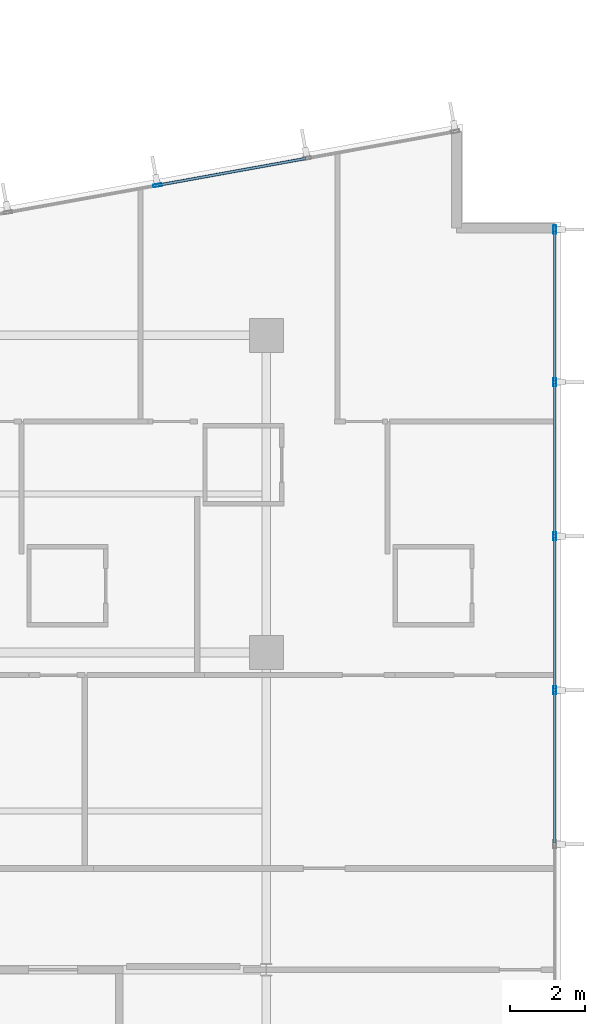
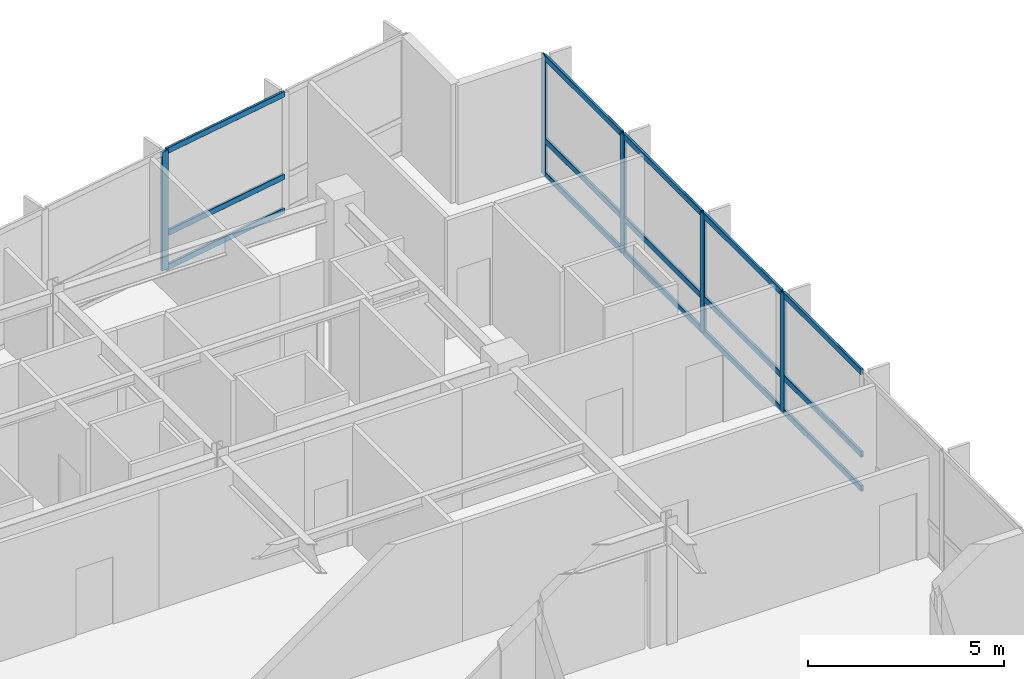
# One storey, part 8 of 22: 20 members, 2 elements without a shape of their own.
"""IFC4 building model written with IfcOpenShell, lengths in metres."""

from ifc_helpers import new_model, si_unit, direction, frame, origin, origin_2d, place, context, subcontext, project, spatial, hollow_rectangle, extrude, material, layer, layer_set, material_profile, profile_set, type_object, element, aggregate, save


model = new_model("IFC4")

# Units and contexts
model_context = context("Model", 3, precision=1e-05, world=origin(), true_north=direction((0.0, 1.0)))
body_context = subcontext(model_context, "Body", "Model", "MODEL_VIEW")
ifc_project = project(units=[si_unit("LENGTHUNIT", "METRE"), si_unit("AREAUNIT", "SQUARE_METRE"), si_unit("VOLUMEUNIT", "CUBIC_METRE"), si_unit("PLANEANGLEUNIT", "RADIAN"), si_unit("MASSUNIT", "GRAM", prefix="KILO")], contexts=[model_context])

# Site, building, storey
site_placement = place(None, origin())
site = spatial("IfcSite", under=ifc_project, at=site_placement, CompositionType="ELEMENT")
building_placement = place(site_placement, origin())
building = spatial("IfcBuilding", under=site, at=building_placement, Name="Varnakote Quay Hospital", CompositionType="ELEMENT")
storey_placement = place(building_placement, frame((0.0, 0.0, 65.949951171875)))
storey = spatial("IfcBuildingStorey", under=building, at=storey_placement, Name="L16", CompositionType="ELEMENT", Elevation=65.949951171875)

# Curtain wall, members
ifc_material_1 = material(Name="Anodised aluminium 6063-T6 Bronze", Category="aluminium")
ifc_layer = layer(ifc_material_1, 0.18994140625)
ifc_layer_set = layer_set([ifc_layer], Name="Anodised aluminium 6063-T6 Bronze")
curtain_wall_type = type_object("IfcCurtainWallType", Name="CW-SYS-2", PredefinedType="NOTDEFINED", material=ifc_layer_set)
curtain_wall_1_placement = place(storey_placement, origin())
curtain_wall_1 = element("IfcCurtainWall", 1, at=curtain_wall_1_placement, inside=storey, type_object=curtain_wall_type, Name="L16 Unitised Bronze Curtain Wall 1", PredefinedType="NOTDEFINED")
ifc_material_2 = material(Name="Anodised aluminium 6063-T6 Bronze", Category="aluminium")
ifc_material_profile_1 = material_profile(ifc_material_2, hollow_rectangle(XDim=0.074951171875, YDim=0.219970703125, WallThickness=0.00439453125, InnerFilletRadius=0.00439453125, OuterFilletRadius=0.009033203125, at=origin_2d()), Name="CW-MULL-220x75")
ifc_profile_set_1 = profile_set([ifc_material_profile_1], Name="Anodised aluminium 6063-T6 Bronze")
member_type_1 = type_object("IfcMemberType", Name="CW-MULL-220x75", PredefinedType="MULLION", material=ifc_profile_set_1)
member_1_placement = place(storey_placement, frame((58.0400390625, 19.39990234375, 0.0), z_axis=(0.0, 0.0, 1.0), x_axis=(-1.0, 0.0, 0.0)))
member_1 = element("IfcMember", 2, at=member_1_placement, type_object=member_type_1, Name="-2-L16-1 mullion 4", PredefinedType="MULLION", context=body_context, shape_type="SweptSolid", body=[
    extrude(hollow_rectangle(XDim=0.074951171875, YDim=0.219970703125, WallThickness=0.00439453125, InnerFilletRadius=0.00439453125, OuterFilletRadius=0.009033203125, at=origin_2d()), origin(), (0.0, 0.0, 1.0), 3.7099609375),
])
member_2_placement = place(storey_placement, frame((58.0400390625, 23.47998046875, 0.0), z_axis=(0.0, 0.0, 1.0), x_axis=(-1.0, 0.0, 0.0)))
member_2 = element("IfcMember", 3, at=member_2_placement, type_object=member_type_1, Name="-2-L16-1 mullion 5", PredefinedType="MULLION", context=body_context, shape_type="SweptSolid", body=[
    extrude(hollow_rectangle(XDim=0.074951171875, YDim=0.219970703125, WallThickness=0.00439453125, InnerFilletRadius=0.00439453125, OuterFilletRadius=0.009033203125, at=origin_2d()), origin(), (0.0, 0.0, 1.0), 3.7099609375),
])
member_3_placement = place(storey_placement, frame((58.0400390625, 27.56005859375, 0.0), z_axis=(0.0, 0.0, 1.0), x_axis=(-1.0, 0.0, 0.0)))
member_3 = element("IfcMember", 4, at=member_3_placement, type_object=member_type_1, Name="-2-L16-1 mullion 6", PredefinedType="MULLION", context=body_context, shape_type="SweptSolid", body=[
    extrude(hollow_rectangle(XDim=0.074951171875, YDim=0.219970703125, WallThickness=0.00439453125, InnerFilletRadius=0.00439453125, OuterFilletRadius=0.009033203125, at=origin_2d()), origin(), (0.0, 0.0, 1.0), 3.7099609375),
])
member_4_placement = place(storey_placement, frame((58.0400390625, 31.6025390625, 0.0), z_axis=(0.0, 0.0, 1.0), x_axis=(-1.0, 0.0, 0.0)))
member_4 = element("IfcMember", 5, at=member_4_placement, type_object=member_type_1, Name="-2-L16-1 mullion 7", PredefinedType="MULLION", context=body_context, shape_type="SweptSolid", body=[
    extrude(hollow_rectangle(XDim=0.074951171875, YDim=0.219970703125, WallThickness=0.00439453125, InnerFilletRadius=0.00439453125, OuterFilletRadius=0.009033203125, at=origin_2d()), origin(), (0.0, 0.0, 1.0), 3.7099609375),
])

# Curtain wall, member
curtain_wall_2_placement = place(storey_placement, origin())
curtain_wall_2 = element("IfcCurtainWall", 6, at=curtain_wall_2_placement, inside=storey, type_object=curtain_wall_type, Name="L16 Unitised Bronze Curtain Wall 2", PredefinedType="NOTDEFINED")
member_5_placement = place(storey_placement, frame((47.514892578125, 32.776123046875, 0.0), z_axis=(0.0, 0.0, 1.0), x_axis=(0.177846199098, -0.984058295766, 0.0)))
member_5 = element("IfcMember", 7, at=member_5_placement, type_object=member_type_1, Name="-2-L16-2 mullion 3", PredefinedType="MULLION", context=body_context, shape_type="SweptSolid", body=[
    extrude(hollow_rectangle(XDim=0.074951171875, YDim=0.219970703125, WallThickness=0.00439453125, InnerFilletRadius=0.00439453125, OuterFilletRadius=0.009033203125, at=origin_2d()), origin(), (0.0, 0.0, 1.0), 3.7099609375),
])

# Member
ifc_material_3 = material(Name="Anodised aluminium 6063-T6 Bronze", Category="aluminium")
ifc_material_profile_2 = material_profile(ifc_material_3, hollow_rectangle(XDim=0.074951171875, YDim=0.179931640625, WallThickness=0.004150390625, InnerFilletRadius=0.004150390625, OuterFilletRadius=0.00830078125, at=origin_2d()), Name="CW-TRAN-180x75")
ifc_profile_set_2 = profile_set([ifc_material_profile_2], Name="Anodised aluminium 6063-T6 Bronze")
member_type_2 = type_object("IfcMemberType", Name="CW-TRAN-180x75", PredefinedType="USERDEFINED", material=ifc_profile_set_2)
member_6_placement = place(storey_placement, frame((58.0400390625, 15.357421875, 0.03759765625), z_axis=(0.0, 1.0, 0.0), x_axis=(-1.0, 0.0, 0.0)))
member_6 = element("IfcMember", 8, at=member_6_placement, type_object=member_type_2, Name="-2-L16-1 transom 3.1", ObjectType="TRANSOM", PredefinedType="USERDEFINED", context=body_context, shape_type="SweptSolid", body=[
    extrude(hollow_rectangle(XDim=0.074951171875, YDim=0.179931640625, WallThickness=0.004150390625, InnerFilletRadius=0.004150390625, OuterFilletRadius=0.00830078125, at=origin_2d()), origin(), (0.0, 0.0, 1.0), 4.005126953125),
])

member_7_placement = place(storey_placement, frame((58.0400390625, 15.357421875, 1.10009765625), z_axis=(0.0, 1.0, 0.0), x_axis=(-1.0, 0.0, 0.0)))
member_7 = element("IfcMember", 9, at=member_7_placement, type_object=member_type_2, Name="-2-L16-1 transom 3.2", ObjectType="TRANSOM", PredefinedType="USERDEFINED", context=body_context, shape_type="SweptSolid", body=[
    extrude(hollow_rectangle(XDim=0.074951171875, YDim=0.179931640625, WallThickness=0.004150390625, InnerFilletRadius=0.004150390625, OuterFilletRadius=0.00830078125, at=origin_2d()), origin(), (0.0, 0.0, 1.0), 4.005126953125),
])

member_8_placement = place(storey_placement, frame((58.0400390625, 15.357421875, 3.672607421875), z_axis=(0.0, 1.0, 0.0), x_axis=(-1.0, 0.0, 0.0)))
member_8 = element("IfcMember", 10, at=member_8_placement, type_object=member_type_2, Name="-2-L16-1 transom 3.3", ObjectType="TRANSOM", PredefinedType="USERDEFINED", context=body_context, shape_type="SweptSolid", body=[
    extrude(hollow_rectangle(XDim=0.074951171875, YDim=0.179931640625, WallThickness=0.004150390625, InnerFilletRadius=0.004150390625, OuterFilletRadius=0.00830078125, at=origin_2d()), origin(), (0.0, 0.0, 1.0), 4.005126953125),
])

member_9_placement = place(storey_placement, frame((58.0400390625, 19.4375, 0.03759765625), z_axis=(0.0, 1.0, 0.0), x_axis=(-1.0, 0.0, 0.0)))
member_9 = element("IfcMember", 11, at=member_9_placement, type_object=member_type_2, Name="-2-L16-1 transom 4.1", ObjectType="TRANSOM", PredefinedType="USERDEFINED", context=body_context, shape_type="SweptSolid", body=[
    extrude(hollow_rectangle(XDim=0.074951171875, YDim=0.179931640625, WallThickness=0.004150390625, InnerFilletRadius=0.004150390625, OuterFilletRadius=0.00830078125, at=origin_2d()), origin(), (0.0, 0.0, 1.0), 4.0048828125),
])

member_10_placement = place(storey_placement, frame((58.0400390625, 19.4375, 1.10009765625), z_axis=(0.0, 1.0, 0.0), x_axis=(-1.0, 0.0, 0.0)))
member_10 = element("IfcMember", 12, at=member_10_placement, type_object=member_type_2, Name="-2-L16-1 transom 4.2", ObjectType="TRANSOM", PredefinedType="USERDEFINED", context=body_context, shape_type="SweptSolid", body=[
    extrude(hollow_rectangle(XDim=0.074951171875, YDim=0.179931640625, WallThickness=0.004150390625, InnerFilletRadius=0.004150390625, OuterFilletRadius=0.00830078125, at=origin_2d()), origin(), (0.0, 0.0, 1.0), 4.0048828125),
])

member_11_placement = place(storey_placement, frame((58.0400390625, 19.4375, 3.672607421875), z_axis=(0.0, 1.0, 0.0), x_axis=(-1.0, 0.0, 0.0)))
member_11 = element("IfcMember", 13, at=member_11_placement, type_object=member_type_2, Name="-2-L16-1 transom 4.3", ObjectType="TRANSOM", PredefinedType="USERDEFINED", context=body_context, shape_type="SweptSolid", body=[
    extrude(hollow_rectangle(XDim=0.074951171875, YDim=0.179931640625, WallThickness=0.004150390625, InnerFilletRadius=0.004150390625, OuterFilletRadius=0.00830078125, at=origin_2d()), origin(), (0.0, 0.0, 1.0), 4.0048828125),
])

member_12_placement = place(storey_placement, frame((58.0400390625, 23.517578125, 0.03759765625), z_axis=(0.0, 1.0, 0.0), x_axis=(-1.0, 0.0, 0.0)))
member_12 = element("IfcMember", 14, at=member_12_placement, type_object=member_type_2, Name="-2-L16-1 transom 5.1", ObjectType="TRANSOM", PredefinedType="USERDEFINED", context=body_context, shape_type="SweptSolid", body=[
    extrude(hollow_rectangle(XDim=0.074951171875, YDim=0.179931640625, WallThickness=0.004150390625, InnerFilletRadius=0.004150390625, OuterFilletRadius=0.00830078125, at=origin_2d()), origin(), (0.0, 0.0, 1.0), 4.0048828125),
])

member_13_placement = place(storey_placement, frame((58.0400390625, 23.517578125, 1.10009765625), z_axis=(0.0, 1.0, 0.0), x_axis=(-1.0, 0.0, 0.0)))
member_13 = element("IfcMember", 15, at=member_13_placement, type_object=member_type_2, Name="-2-L16-1 transom 5.2", ObjectType="TRANSOM", PredefinedType="USERDEFINED", context=body_context, shape_type="SweptSolid", body=[
    extrude(hollow_rectangle(XDim=0.074951171875, YDim=0.179931640625, WallThickness=0.004150390625, InnerFilletRadius=0.004150390625, OuterFilletRadius=0.00830078125, at=origin_2d()), origin(), (0.0, 0.0, 1.0), 4.0048828125),
])

member_14_placement = place(storey_placement, frame((58.0400390625, 23.517578125, 3.672607421875), z_axis=(0.0, 1.0, 0.0), x_axis=(-1.0, 0.0, 0.0)))
member_14 = element("IfcMember", 16, at=member_14_placement, type_object=member_type_2, Name="-2-L16-1 transom 5.3", ObjectType="TRANSOM", PredefinedType="USERDEFINED", context=body_context, shape_type="SweptSolid", body=[
    extrude(hollow_rectangle(XDim=0.074951171875, YDim=0.179931640625, WallThickness=0.004150390625, InnerFilletRadius=0.004150390625, OuterFilletRadius=0.00830078125, at=origin_2d()), origin(), (0.0, 0.0, 1.0), 4.0048828125),
])

member_15_placement = place(storey_placement, frame((58.0400390625, 27.597412109375, 0.03759765625), z_axis=(0.0, 1.0, 0.0), x_axis=(-1.0, 0.0, 0.0)))
member_15 = element("IfcMember", 17, at=member_15_placement, type_object=member_type_2, Name="-2-L16-1 transom 6.1", ObjectType="TRANSOM", PredefinedType="USERDEFINED", context=body_context, shape_type="SweptSolid", body=[
    extrude(hollow_rectangle(XDim=0.074951171875, YDim=0.179931640625, WallThickness=0.004150390625, InnerFilletRadius=0.004150390625, OuterFilletRadius=0.00830078125, at=origin_2d()), origin(), (0.0, 0.0, 1.0), 3.967529296875),
])

member_16_placement = place(storey_placement, frame((58.0400390625, 27.597412109375, 1.10009765625), z_axis=(0.0, 1.0, 0.0), x_axis=(-1.0, 0.0, 0.0)))
member_16 = element("IfcMember", 18, at=member_16_placement, type_object=member_type_2, Name="-2-L16-1 transom 6.2", ObjectType="TRANSOM", PredefinedType="USERDEFINED", context=body_context, shape_type="SweptSolid", body=[
    extrude(hollow_rectangle(XDim=0.074951171875, YDim=0.179931640625, WallThickness=0.004150390625, InnerFilletRadius=0.004150390625, OuterFilletRadius=0.00830078125, at=origin_2d()), origin(), (0.0, 0.0, 1.0), 3.967529296875),
])

member_17_placement = place(storey_placement, frame((58.0400390625, 27.597412109375, 3.672607421875), z_axis=(0.0, 1.0, 0.0), x_axis=(-1.0, 0.0, 0.0)))
member_17 = element("IfcMember", 19, at=member_17_placement, type_object=member_type_2, Name="-2-L16-1 transom 6.3", ObjectType="TRANSOM", PredefinedType="USERDEFINED", context=body_context, shape_type="SweptSolid", body=[
    extrude(hollow_rectangle(XDim=0.074951171875, YDim=0.179931640625, WallThickness=0.004150390625, InnerFilletRadius=0.004150390625, OuterFilletRadius=0.00830078125, at=origin_2d()), origin(), (0.0, 0.0, 1.0), 3.967529296875),
])

aggregate(curtain_wall_1, [member_1, member_2, member_3, member_4, member_6, member_7, member_8, member_9, member_10, member_11, member_12, member_13, member_14, member_15, member_16, member_17])

member_18_placement = place(storey_placement, frame((51.4404296875, 33.485595703125, 0.03759765625), z_axis=(-0.984065046829, -0.177808840079, 0.0), x_axis=(0.177808840079, -0.984065046829, 0.0)))
member_18 = element("IfcMember", 20, at=member_18_placement, type_object=member_type_2, Name="-2-L16-2 transom 2.1", ObjectType="TRANSOM", PredefinedType="USERDEFINED", context=body_context, shape_type="SweptSolid", body=[
    extrude(hollow_rectangle(XDim=0.074951171875, YDim=0.179931640625, WallThickness=0.004150390625, InnerFilletRadius=0.004150390625, OuterFilletRadius=0.00830078125, at=origin_2d()), origin(), (0.0, 0.0, 1.0), 3.95166015625),
])

member_19_placement = place(storey_placement, frame((51.4404296875, 33.485595703125, 1.10009765625), z_axis=(-0.984065046829, -0.177808840079, 0.0), x_axis=(0.177808840079, -0.984065046829, 0.0)))
member_19 = element("IfcMember", 21, at=member_19_placement, type_object=member_type_2, Name="-2-L16-2 transom 2.2", ObjectType="TRANSOM", PredefinedType="USERDEFINED", context=body_context, shape_type="SweptSolid", body=[
    extrude(hollow_rectangle(XDim=0.074951171875, YDim=0.179931640625, WallThickness=0.004150390625, InnerFilletRadius=0.004150390625, OuterFilletRadius=0.00830078125, at=origin_2d()), origin(), (0.0, 0.0, 1.0), 3.95166015625),
])

member_20_placement = place(storey_placement, frame((51.4404296875, 33.485595703125, 3.672607421875), z_axis=(-0.984065046829, -0.177808840079, 0.0), x_axis=(0.177808840079, -0.984065046829, 0.0)))
member_20 = element("IfcMember", 22, at=member_20_placement, type_object=member_type_2, Name="-2-L16-2 transom 2.3", ObjectType="TRANSOM", PredefinedType="USERDEFINED", context=body_context, shape_type="SweptSolid", body=[
    extrude(hollow_rectangle(XDim=0.074951171875, YDim=0.179931640625, WallThickness=0.004150390625, InnerFilletRadius=0.004150390625, OuterFilletRadius=0.00830078125, at=origin_2d()), origin(), (0.0, 0.0, 1.0), 3.95166015625),
])

aggregate(curtain_wall_2, [member_5, member_18, member_19, member_20])

save(model, "model.ifc")
